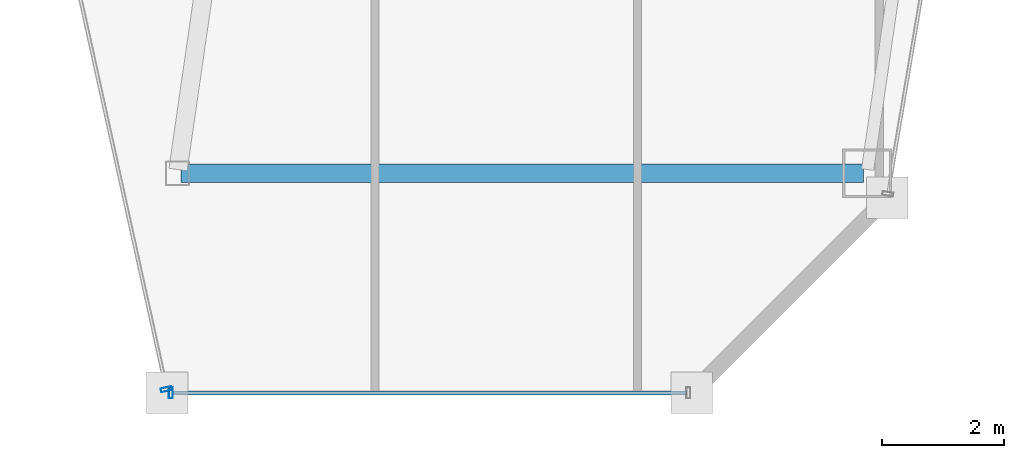
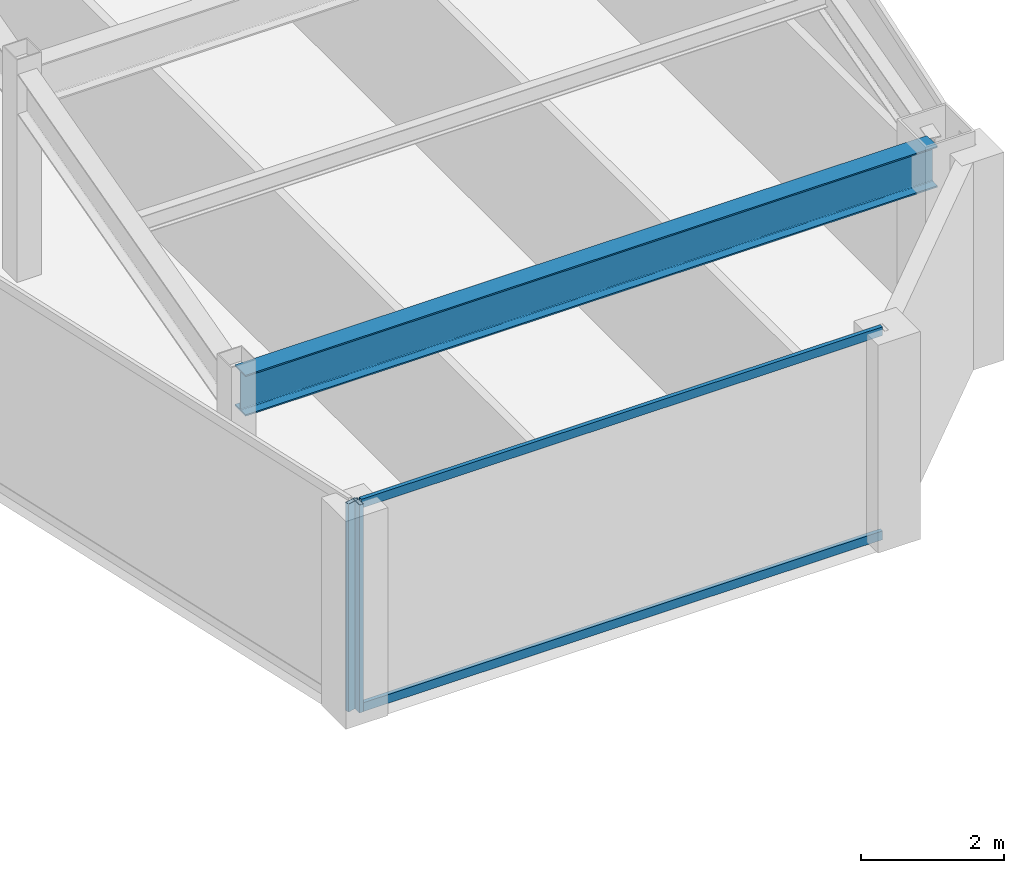
# One storey, part 16 of 36: 4 members, 1 beam, 2 elements without a shape of their own.
"""IFC4 building model written with IfcOpenShell, lengths in metres."""

from ifc_helpers import new_model, si_unit, direction, frame, origin, origin_2d, place, context, subcontext, project, spatial, hollow_rectangle, i_section, extrude, material, material_profile, profile_set, type_object, element, aggregate, save


model = new_model("IFC4")

# Units and contexts
model_context = context("Model", 3, precision=1e-05, world=origin(), true_north=direction((0.0, 1.0)))
body_context = subcontext(model_context, "Body", "Model", "MODEL_VIEW")
ifc_project = project(units=[si_unit("LENGTHUNIT", "METRE"), si_unit("AREAUNIT", "SQUARE_METRE"), si_unit("VOLUMEUNIT", "CUBIC_METRE"), si_unit("PLANEANGLEUNIT", "RADIAN"), si_unit("MASSUNIT", "GRAM", prefix="KILO")], contexts=[model_context])

# Site, building, storey
site_placement = place(None, origin())
site = spatial("IfcSite", under=ifc_project, at=site_placement, CompositionType="ELEMENT")
building_placement = place(site_placement, origin())
building = spatial("IfcBuilding", under=site, at=building_placement, Name="Saevonmaru Cultural Tower", CompositionType="ELEMENT")
storey_placement = place(building_placement, frame((0.0, 0.0, 201.800048828125)))
storey = spatial("IfcBuildingStorey", under=building, at=storey_placement, Name="L46", CompositionType="ELEMENT", Elevation=201.800048828125)

# Beam
ifc_material_1 = material(Name="Steel SM355", Category="steel")
ifc_material_profile_1 = material_profile(ifc_material_1, i_section(OverallWidth=0.300048828125, OverallDepth=0.699951171875, WebThickness=0.012939453125, FlangeThickness=0.02392578125, FilletRadius=0.02587890625, at=origin_2d()), Name="H-700x300x13x24")
ifc_profile_set_1 = profile_set([ifc_material_profile_1], Name="Steel SM355")
beam_type = type_object("IfcBeamType", Name="BM-G-H700", PredefinedType="BEAM", material=ifc_profile_set_1)
beam_placement = place(storey_placement, frame((38.132080078125, 16.0, 3.199951171875), z_axis=(1.0, 0.0, 0.0), x_axis=(0.0, 1.0, 0.0)))
element("IfcBeam", 1, at=beam_placement, inside=storey, type_object=beam_type, Name="L46 East Wing Transverse Girder 1", PredefinedType="BEAM", context=body_context, shape_type="SweptSolid", body=[
    extrude(i_section(OverallWidth=0.300048828125, OverallDepth=0.699951171875, WebThickness=0.012939453125, FlangeThickness=0.02392578125, FilletRadius=0.02587890625, at=origin_2d()), origin(), (0.0, 0.0, 1.0), 11.179931640625),
])

# Curtain wall, member
ifc_material_2 = material(Name="Satin Bronze Anodised Aluminium", Category="aluminium")
curtain_wall_type = type_object("IfcCurtainWallType", Name="CW-TYP-B", PredefinedType="NOTDEFINED", material=ifc_material_2)
curtain_wall_1_placement = place(storey_placement, origin())
curtain_wall_1 = element("IfcCurtainWall", 2, at=curtain_wall_1_placement, inside=storey, type_object=curtain_wall_type, Name="L46 Unitised Curtain Wall E5", PredefinedType="NOTDEFINED")
ifc_material_profile_2 = material_profile(ifc_material_2, hollow_rectangle(XDim=0.06494140625, YDim=0.179931640625, WallThickness=0.00390625, at=origin_2d()), Name="ALU-MULL-180x65x4")
ifc_profile_set_2 = profile_set([ifc_material_profile_2], Name="Satin Bronze Anodised Aluminium")
member_type_1 = type_object("IfcMemberType", Name="ML-CW-180x65", PredefinedType="MULLION", material=ifc_profile_set_2)
member_1_placement = place(storey_placement, frame((37.889404296875, 12.45849609375, 0.0), z_axis=(0.0, 0.0, 1.0), x_axis=(0.215413319953, -0.976522965212, 0.0)))
member_1 = element("IfcMember", 3, at=member_1_placement, type_object=member_type_1, Name="CW-TW-L46-E5 mullion 2", PredefinedType="MULLION", context=body_context, shape_type="SweptSolid", body=[
    extrude(hollow_rectangle(XDim=0.06494140625, YDim=0.179931640625, WallThickness=0.00390625, at=origin_2d()), origin(), (0.0, 0.0, 1.0), 3.550048828125),
])
aggregate(curtain_wall_1, [member_1])

# Curtain wall, members
curtain_wall_2_placement = place(storey_placement, origin())
curtain_wall_2 = element("IfcCurtainWall", 4, at=curtain_wall_2_placement, inside=storey, type_object=curtain_wall_type, Name="L46 Unitised Curtain Wall E6", PredefinedType="NOTDEFINED")
member_2_placement = place(storey_placement, frame((37.962158203125, 12.39990234375, 0.0), z_axis=(0.0, 0.0, 1.0), x_axis=(1.0, 0.0, 0.0)))
member_2 = element("IfcMember", 5, at=member_2_placement, type_object=member_type_1, Name="CW-TW-L46-E6 mullion 1", PredefinedType="MULLION", context=body_context, shape_type="SweptSolid", body=[
    extrude(hollow_rectangle(XDim=0.06494140625, YDim=0.179931640625, WallThickness=0.00390625, at=origin_2d()), origin(), (0.0, 0.0, 1.0), 3.550048828125),
])
ifc_material_profile_3 = material_profile(ifc_material_2, hollow_rectangle(XDim=0.06494140625, YDim=0.14990234375, WallThickness=0.00390625, at=origin_2d()), Name="ALU-TRAN-150x65x4")
ifc_profile_set_3 = profile_set([ifc_material_profile_3], Name="Satin Bronze Anodised Aluminium")
member_type_2 = type_object("IfcMemberType", Name="TR-CW-150x65", PredefinedType="USERDEFINED", material=ifc_profile_set_3)
member_3_placement = place(storey_placement, frame((37.99462890625, 12.39990234375, 0.032470703125), z_axis=(1.0, 0.0, 0.0), x_axis=(0.0, 1.0, 0.0)))
member_3 = element("IfcMember", 6, at=member_3_placement, type_object=member_type_2, Name="CW-TW-L46-E6 transom 1.1", ObjectType="TRANSOM", PredefinedType="USERDEFINED", context=body_context, shape_type="SweptSolid", body=[
    extrude(hollow_rectangle(XDim=0.06494140625, YDim=0.14990234375, WallThickness=0.00390625, at=origin_2d()), origin(), (0.0, 0.0, 1.0), 8.4150390625),
])
member_4_placement = place(storey_placement, frame((37.99462890625, 12.39990234375, 3.517333984375), z_axis=(1.0, 0.0, 0.0), x_axis=(0.0, 1.0, 0.0)))
member_4 = element("IfcMember", 7, at=member_4_placement, type_object=member_type_2, Name="CW-TW-L46-E6 transom 1.2", ObjectType="TRANSOM", PredefinedType="USERDEFINED", context=body_context, shape_type="SweptSolid", body=[
    extrude(hollow_rectangle(XDim=0.06494140625, YDim=0.14990234375, WallThickness=0.00390625, at=origin_2d()), origin(), (0.0, 0.0, 1.0), 8.4150390625),
])
aggregate(curtain_wall_2, [member_2, member_3, member_4])

save(model, "model.ifc")
